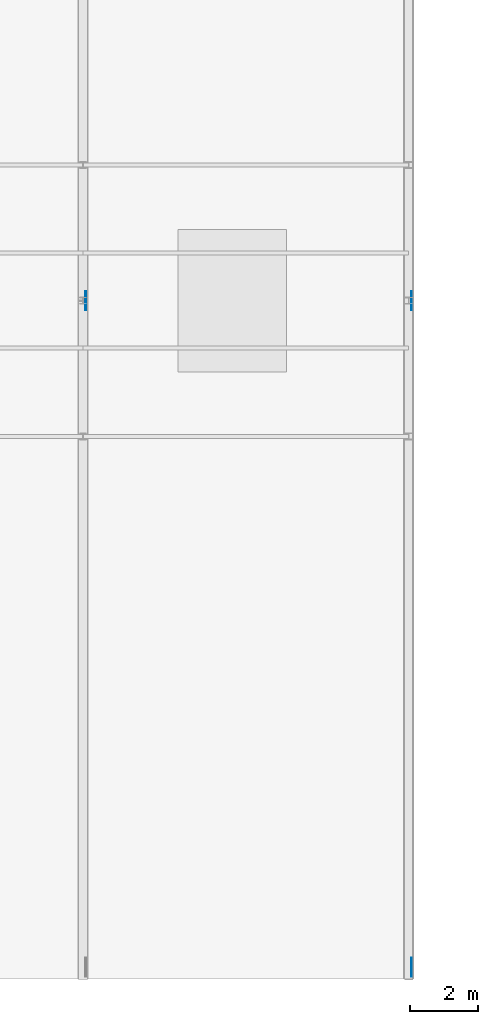
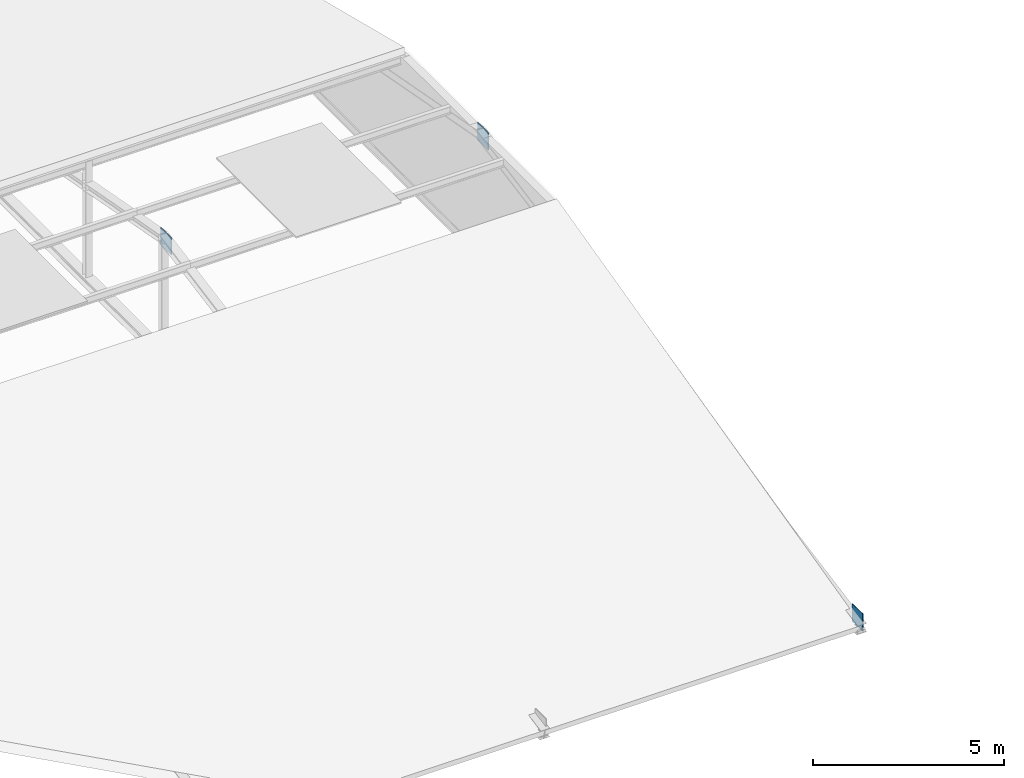
# One storey, part 61 of 73: 3 plates.
"""IFC4 building model written with IfcOpenShell, lengths in metres."""

from ifc_helpers import new_model, si_unit, direction, frame, origin, origin_2d, place, context, subcontext, project, spatial, rectangle, extrude, material, layer, layer_set, type_object, element, save


model = new_model("IFC4")

# Units and contexts
model_context = context("Model", 3, precision=1e-05, world=origin(), true_north=direction((0.0, 1.0)))
body_context = subcontext(model_context, "Body", "Model", "MODEL_VIEW")
ifc_project = project(units=[si_unit("LENGTHUNIT", "METRE"), si_unit("AREAUNIT", "SQUARE_METRE"), si_unit("VOLUMEUNIT", "CUBIC_METRE"), si_unit("PLANEANGLEUNIT", "RADIAN"), si_unit("MASSUNIT", "GRAM", prefix="KILO")], contexts=[model_context])

# Site, building, storey
site_placement = place(None, origin())
site = spatial("IfcSite", under=ifc_project, at=site_placement, CompositionType="ELEMENT")
building_placement = place(site_placement, origin())
building = spatial("IfcBuilding", under=site, at=building_placement, Name="Alderhovde Museum", CompositionType="ELEMENT")
storey_placement = place(building_placement, frame((0.0, 0.0, 17.39990234375)))
storey = spatial("IfcBuildingStorey", under=building, at=storey_placement, Name="L04", CompositionType="ELEMENT", Elevation=17.39990234375)

# Plates
ifc_material = material(Name="Steel S355J2", Category="steel")
ifc_layer = layer(ifc_material, 0.02197265625)
ifc_layer_set = layer_set([ifc_layer], Name="Steel S355J2")
plate_type = type_object("IfcPlateType", Name="PLT-GUSSET-22", PredefinedType="USERDEFINED", material=ifc_layer_set)
for number, where, z_axis, x_axis, name in (
    (1, (105.679931640625, 52.0, 3.469970703125), (0.0, 0.0, 1.0), (1.0, 0.0, 0.0), "Atrium Truss Gusset X=105.6-2"),
    (2, (115.280029296875, 32.35009765625, -0.030029296875), (0.0, 0.0, 1.0), (1.0, 0.0, 0.0), "Atrium Truss Gusset X=115.2-1"),
    (3, (115.280029296875, 52.0, 3.469970703125), (0.0, 0.0, 1.0), (1.0, 0.0, 0.0), "Atrium Truss Gusset X=115.2-2"),
):
    element("IfcPlate", number, at=place(storey_placement, frame(where, z_axis=z_axis, x_axis=x_axis)), inside=storey, type_object=plate_type, Name=name, ObjectType="GUSSET PLATE", PredefinedType="USERDEFINED", context=body_context, shape_type="SweptSolid", body=[
        extrude(rectangle(XDim=0.02197265625, YDim=0.56005859375, at=origin_2d()), origin(), (0.0, 0.0, 1.0), 0.56005859375),
    ])

save(model, "model.ifc")
